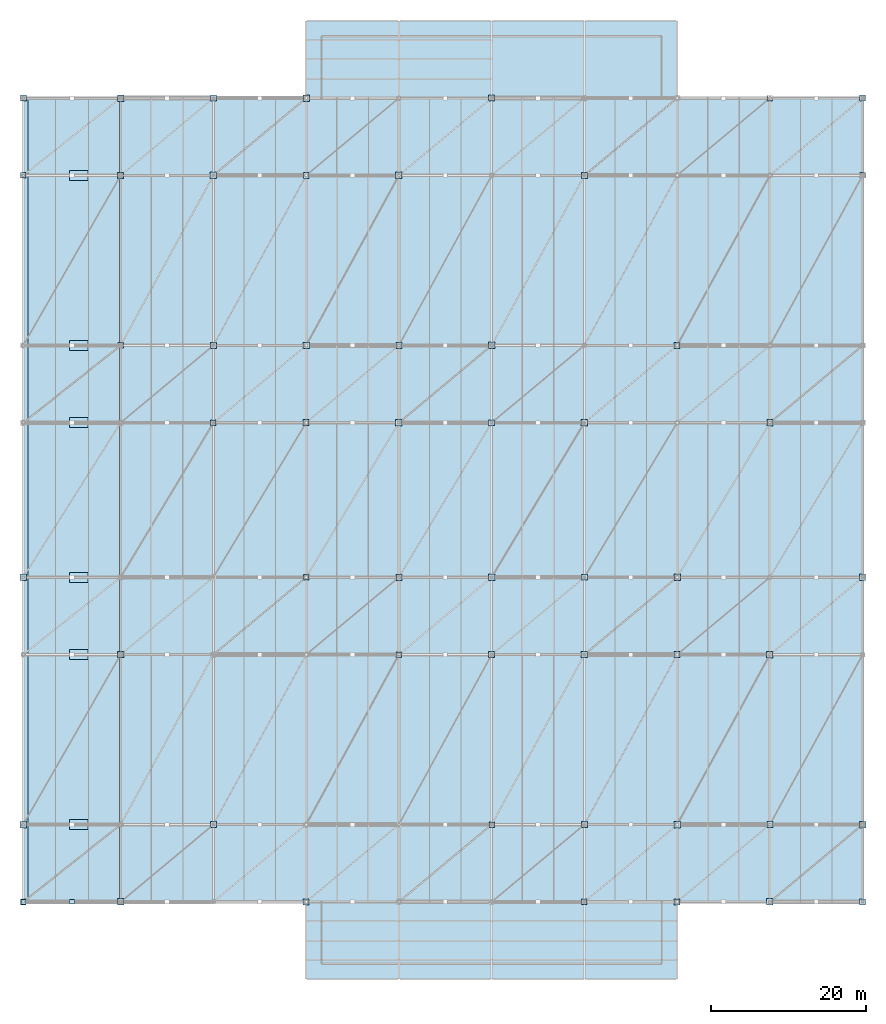
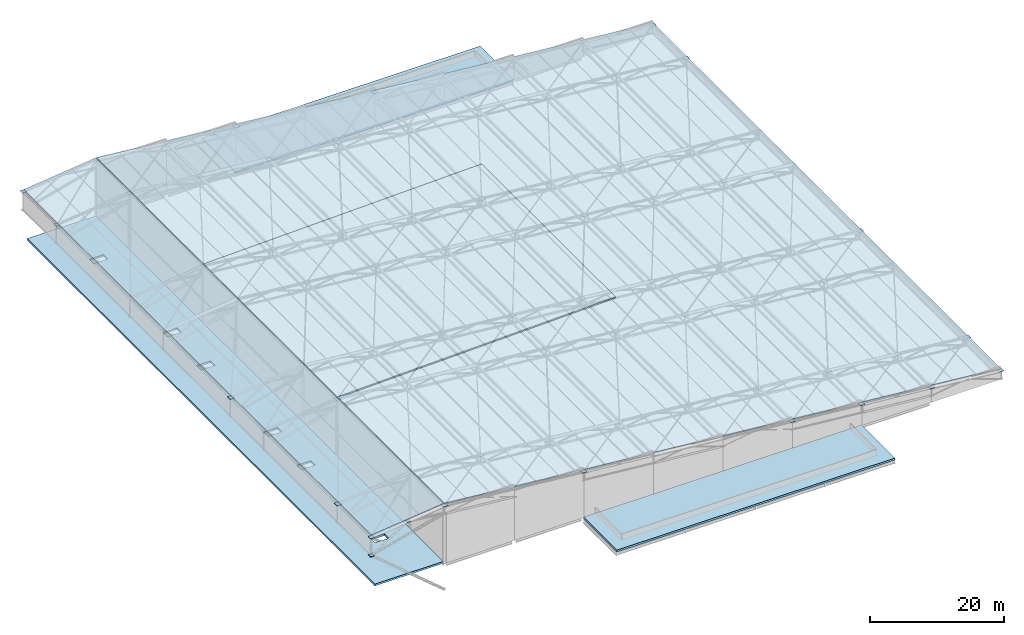
# One storey, part 40 of 44: 55 plates, 6 slabs.
"""IFC4 building model written with IfcOpenShell, lengths in metres."""

from ifc_helpers import new_model, si_unit, direction, frame, origin, origin_2d, place, context, subcontext, project, spatial, polyline, rectangle, outline, extrude, material, layer, layer_set, type_object, element, save


model = new_model("IFC4")

# Units and contexts
model_context = context("Model", 3, precision=1e-05, world=origin(), true_north=direction((0.0, 1.0)))
body_context = subcontext(model_context, "Body", "Model", "MODEL_VIEW")
ifc_project = project(units=[si_unit("LENGTHUNIT", "METRE"), si_unit("AREAUNIT", "SQUARE_METRE"), si_unit("VOLUMEUNIT", "CUBIC_METRE"), si_unit("PLANEANGLEUNIT", "RADIAN"), si_unit("MASSUNIT", "GRAM", prefix="KILO")], contexts=[model_context])

# Site, building, storey
site_placement = place(None, origin())
site = spatial("IfcSite", under=ifc_project, at=site_placement, CompositionType="ELEMENT")
building_placement = place(site_placement, origin())
building = spatial("IfcBuilding", under=site, at=building_placement, Name="Brinegate Civic Arena", CompositionType="ELEMENT")
storey_placement = place(building_placement, frame((0.0, 0.0, 29.39990234375)))
storey = spatial("IfcBuildingStorey", under=building, at=storey_placement, Name="RF", CompositionType="ELEMENT", Elevation=29.39990234375)

# Plates
ifc_material_1 = material(Name="Steel S355", Category="steel")
ifc_layer_1 = layer(ifc_material_1, 0.02587890625, Name="Steel S355")
ifc_layer_set_1 = layer_set([ifc_layer_1], Name="Steel S355")
plate_type_1 = type_object("IfcPlateType", Name="PLATE-NODE-600X26", PredefinedType="SHEET", material=ifc_layer_set_1)
plate_1_placement = place(storey_placement, frame((53.699951171875, 10.0, 9.837158203125), z_axis=(0.0, 0.0, 1.0), x_axis=(1.0, 0.0, 0.0)))
element("IfcPlate", 1, at=plate_1_placement, inside=storey, type_object=plate_type_1, Name="Welded Steel Node Cap Plate NPL-M-001", PredefinedType="SHEET", context=body_context, shape_type="SweptSolid", body=[
    extrude(rectangle(XDim=0.60009765625, YDim=0.60009765625, at=origin_2d()), origin(), (0.0, 0.0, 1.0), 0.02587890625),
])
ifc_layer_2 = layer(ifc_material_1, 0.02392578125, Name="Steel S355")
ifc_layer_set_2 = layer_set([ifc_layer_2], Name="Steel S355")
plate_type_2 = type_object("IfcPlateType", Name="PLATE-NODE-650X24", PredefinedType="SHEET", material=ifc_layer_set_2)
plate_2_placement = place(storey_placement, frame((47.39990234375, 10.0, 5.7880859375), z_axis=(0.0, 0.0, 1.0), x_axis=(1.0, 0.0, 0.0)))
element("IfcPlate", 2, at=plate_2_placement, inside=storey, type_object=plate_type_2, Name="Welded Steel Node Cap Plate NPL-B-011", PredefinedType="SHEET", context=body_context, shape_type="SweptSolid", body=[
    extrude(rectangle(XDim=0.64990234375, YDim=0.64990234375, at=origin_2d()), origin(), (0.0, 0.0, 1.0), 0.02392578125),
])
ifc_layer_3 = layer(ifc_material_1, 0.028076171875, Name="Steel S355")
ifc_layer_set_3 = layer_set([ifc_layer_3], Name="Steel S355")
plate_type_3 = type_object("IfcPlateType", Name="PLATE-NODE-720X28", PredefinedType="SHEET", material=ifc_layer_set_3)
for number, where, z_axis, x_axis, name in (
    (3, (120.0, 10.0, 4.9111328125), (0.0, 0.0, 1.0), (1.0, 0.0, 0.0), "Welded Steel Node Cap Plate NPL-T-022"),
    (4, (108.0, 20.0, 6.0361328125), (0.0, 0.0, 1.0), (1.0, 0.0, 0.0), "Welded Steel Node Cap Plate NPL-T-049"),
    (5, (96.0, 42.0, 7.1611328125), (0.0, 0.0, 1.0), (1.0, 0.0, 0.0), "Welded Steel Node Cap Plate NPL-T-076"),
    (6, (84.0, 52.0, 8.2861328125), (0.0, 0.0, 1.0), (1.0, 0.0, 0.0), "Welded Steel Node Cap Plate NPL-T-103"),
    (7, (72.0, 72.0, 9.4111328125), (0.0, 0.0, 1.0), (1.0, 0.0, 0.0), "Welded Steel Node Cap Plate NPL-T-130"),
    (8, (60.0, 82.0, 10.5361328125), (0.0, 0.0, 1.0), (1.0, 0.0, 0.0), "Welded Steel Node Cap Plate NPL-T-157"),
    (9, (47.39990234375, 104.0, 9.13623046875), (0.0, 0.0, 1.0), (1.0, 0.0, 0.0), "Welded Steel Node Cap Plate NPL-T-184"),
    (10, (156.0, 104.0, 1.5361328125), (0.0, 0.0, 1.0), (1.0, 0.0, 0.0), "Welded Steel Node Cap Plate NPL-T-202"),
    (11, (144.0, 114.0, 2.6611328125), (0.0, 0.0, 1.0), (1.0, 0.0, 0.0), "Welded Steel Node Cap Plate NPL-T-229"),
):
    element("IfcPlate", number, at=place(storey_placement, frame(where, z_axis=z_axis, x_axis=x_axis)), inside=storey, type_object=plate_type_3, Name=name, PredefinedType="SHEET", context=body_context, shape_type="SweptSolid", body=[
        extrude(rectangle(XDim=0.719970703125, YDim=0.719970703125, at=origin_2d()), origin(), (0.0, 0.0, 1.0), 0.028076171875),
    ])
ifc_layer_4 = layer(ifc_material_1, 0.028076171875, Name="Steel S355")
ifc_layer_set_4 = layer_set([ifc_layer_4], Name="Steel S355")
plate_type_4 = type_object("IfcPlateType", Name="PLATE-NODE-750X28", PredefinedType="SHEET", material=ifc_layer_set_4)
for number, where, z_axis, x_axis, name in (
    (12, (47.39990234375, 10.0, 9.13623046875), (0.0, 0.0, 1.0), (1.0, 0.0, 0.0), "Welded Steel Node Cap Plate NPL-T-010"),
    (13, (156.0, 10.0, 1.5361328125), (0.0, 0.0, 1.0), (1.0, 0.0, 0.0), "Welded Steel Node Cap Plate NPL-T-028"),
    (14, (144.0, 20.0, 2.6611328125), (0.0, 0.0, 1.0), (1.0, 0.0, 0.0), "Welded Steel Node Cap Plate NPL-T-055"),
    (15, (132.0, 42.0, 3.7861328125), (0.0, 0.0, 1.0), (1.0, 0.0, 0.0), "Welded Steel Node Cap Plate NPL-T-082"),
    (16, (120.0, 52.0, 4.9111328125), (0.0, 0.0, 1.0), (1.0, 0.0, 0.0), "Welded Steel Node Cap Plate NPL-T-109"),
    (17, (108.0, 72.0, 6.0361328125), (0.0, 0.0, 1.0), (1.0, 0.0, 0.0), "Welded Steel Node Cap Plate NPL-T-136"),
    (18, (96.0, 82.0, 7.1611328125), (0.0, 0.0, 1.0), (1.0, 0.0, 0.0), "Welded Steel Node Cap Plate NPL-T-163"),
    (19, (84.0, 104.0, 8.2861328125), (0.0, 0.0, 1.0), (1.0, 0.0, 0.0), "Welded Steel Node Cap Plate NPL-T-190"),
    (20, (72.0, 114.0, 9.4111328125), (0.0, 0.0, 1.0), (1.0, 0.0, 0.0), "Welded Steel Node Cap Plate NPL-T-217"),
):
    element("IfcPlate", number, at=place(storey_placement, frame(where, z_axis=z_axis, x_axis=x_axis)), inside=storey, type_object=plate_type_4, Name=name, PredefinedType="SHEET", context=body_context, shape_type="SweptSolid", body=[
        extrude(rectangle(XDim=0.75, YDim=0.75, at=origin_2d()), origin(), (0.0, 0.0, 1.0), 0.028076171875),
    ])
ifc_layer_5 = layer(ifc_material_1, 0.030029296875, Name="Steel S355")
ifc_layer_set_5 = layer_set([ifc_layer_5], Name="Steel S355")
plate_type_5 = type_object("IfcPlateType", Name="PLATE-NODE-780X30", PredefinedType="SHEET", material=ifc_layer_set_5)
for number, where, z_axis, x_axis, name in (
    (21, (132.0, 10.0, 3.78515625), (0.0, 0.0, 1.0), (1.0, 0.0, 0.0), "Welded Steel Node Cap Plate NPL-T-024"),
    (22, (120.0, 20.0, 4.91015625), (0.0, 0.0, 1.0), (1.0, 0.0, 0.0), "Welded Steel Node Cap Plate NPL-T-051"),
    (23, (108.0, 42.0, 6.03515625), (0.0, 0.0, 1.0), (1.0, 0.0, 0.0), "Welded Steel Node Cap Plate NPL-T-078"),
    (24, (96.0, 52.0, 7.16015625), (0.0, 0.0, 1.0), (1.0, 0.0, 0.0), "Welded Steel Node Cap Plate NPL-T-105"),
    (25, (84.0, 72.0, 8.28515625), (0.0, 0.0, 1.0), (1.0, 0.0, 0.0), "Welded Steel Node Cap Plate NPL-T-132"),
    (26, (72.0, 82.0, 9.41015625), (0.0, 0.0, 1.0), (1.0, 0.0, 0.0), "Welded Steel Node Cap Plate NPL-T-159"),
    (27, (60.0, 104.0, 10.53515625), (0.0, 0.0, 1.0), (1.0, 0.0, 0.0), "Welded Steel Node Cap Plate NPL-T-186"),
    (28, (47.39990234375, 114.0, 9.13525390625), (0.0, 0.0, 1.0), (1.0, 0.0, 0.0), "Welded Steel Node Cap Plate NPL-T-213"),
    (29, (156.0, 114.0, 1.53515625), (0.0, 0.0, 1.0), (1.0, 0.0, 0.0), "Welded Steel Node Cap Plate NPL-T-231"),
):
    element("IfcPlate", number, at=place(storey_placement, frame(where, z_axis=z_axis, x_axis=x_axis)), inside=storey, type_object=plate_type_5, Name=name, PredefinedType="SHEET", context=body_context, shape_type="SweptSolid", body=[
        extrude(rectangle(XDim=0.780029296875, YDim=0.780029296875, at=origin_2d()), origin(), (0.0, 0.0, 1.0), 0.030029296875),
    ])
ifc_layer_6 = layer(ifc_material_1, 0.030029296875, Name="Steel S355")
ifc_layer_set_6 = layer_set([ifc_layer_6], Name="Steel S355")
plate_type_6 = type_object("IfcPlateType", Name="PLATE-NODE-800X30", PredefinedType="SHEET", material=ifc_layer_set_6)
for number, where, z_axis, x_axis, name in (
    (30, (84.0, 10.0, 8.28515625), (0.0, 0.0, 1.0), (1.0, 0.0, 0.0), "Welded Steel Node Cap Plate NPL-T-016"),
    (31, (72.0, 20.0, 9.41015625), (0.0, 0.0, 1.0), (1.0, 0.0, 0.0), "Welded Steel Node Cap Plate NPL-T-043"),
    (32, (60.0, 42.0, 10.53515625), (0.0, 0.0, 1.0), (1.0, 0.0, 0.0), "Welded Steel Node Cap Plate NPL-T-070"),
    (33, (47.39990234375, 52.0, 9.13525390625), (0.0, 0.0, 1.0), (1.0, 0.0, 0.0), "Welded Steel Node Cap Plate NPL-T-097"),
    (34, (156.0, 52.0, 1.53515625), (0.0, 0.0, 1.0), (1.0, 0.0, 0.0), "Welded Steel Node Cap Plate NPL-T-115"),
    (35, (144.0, 72.0, 2.66015625), (0.0, 0.0, 1.0), (1.0, 0.0, 0.0), "Welded Steel Node Cap Plate NPL-T-142"),
    (36, (132.0, 82.0, 3.78515625), (0.0, 0.0, 1.0), (1.0, 0.0, 0.0), "Welded Steel Node Cap Plate NPL-T-169"),
    (37, (120.0, 104.0, 4.91015625), (0.0, 0.0, 1.0), (1.0, 0.0, 0.0), "Welded Steel Node Cap Plate NPL-T-196"),
    (38, (108.0, 114.0, 6.03515625), (0.0, 0.0, 1.0), (1.0, 0.0, 0.0), "Welded Steel Node Cap Plate NPL-T-223"),
):
    element("IfcPlate", number, at=place(storey_placement, frame(where, z_axis=z_axis, x_axis=x_axis)), inside=storey, type_object=plate_type_6, Name=name, PredefinedType="SHEET", context=body_context, shape_type="SweptSolid", body=[
        extrude(rectangle(XDim=0.800048828125, YDim=0.800048828125, at=origin_2d()), origin(), (0.0, 0.0, 1.0), 0.030029296875),
    ])
ifc_layer_7 = layer(ifc_material_1, 0.031982421875, Name="Steel S355")
ifc_layer_set_7 = layer_set([ifc_layer_7], Name="Steel S355")
plate_type_7 = type_object("IfcPlateType", Name="PLATE-NODE-820X32", PredefinedType="SHEET", material=ifc_layer_set_7)
for number, where, z_axis, x_axis, name in (
    (39, (144.0, 10.0, 2.6591796875), (0.0, 0.0, 1.0), (1.0, 0.0, 0.0), "Welded Steel Node Cap Plate NPL-T-026"),
    (40, (132.0, 20.0, 3.7841796875), (0.0, 0.0, 1.0), (1.0, 0.0, 0.0), "Welded Steel Node Cap Plate NPL-T-053"),
    (41, (120.0, 42.0, 4.9091796875), (0.0, 0.0, 1.0), (1.0, 0.0, 0.0), "Welded Steel Node Cap Plate NPL-T-080"),
    (42, (108.0, 52.0, 6.0341796875), (0.0, 0.0, 1.0), (1.0, 0.0, 0.0), "Welded Steel Node Cap Plate NPL-T-107"),
    (43, (96.0, 72.0, 7.1591796875), (0.0, 0.0, 1.0), (1.0, 0.0, 0.0), "Welded Steel Node Cap Plate NPL-T-134"),
    (44, (84.0, 82.0, 8.2841796875), (0.0, 0.0, 1.0), (1.0, 0.0, 0.0), "Welded Steel Node Cap Plate NPL-T-161"),
    (45, (72.0, 104.0, 9.4091796875), (0.0, 0.0, 1.0), (1.0, 0.0, 0.0), "Welded Steel Node Cap Plate NPL-T-188"),
    (46, (60.0, 114.0, 10.5341796875), (0.0, 0.0, 1.0), (1.0, 0.0, 0.0), "Welded Steel Node Cap Plate NPL-T-215"),
):
    element("IfcPlate", number, at=place(storey_placement, frame(where, z_axis=z_axis, x_axis=x_axis)), inside=storey, type_object=plate_type_7, Name=name, PredefinedType="SHEET", context=body_context, shape_type="SweptSolid", body=[
        extrude(rectangle(XDim=0.820068359375, YDim=0.820068359375, at=origin_2d()), origin(), (0.0, 0.0, 1.0), 0.031982421875),
    ])
ifc_layer_8 = layer(ifc_material_1, 0.031982421875, Name="Steel S355")
ifc_layer_set_8 = layer_set([ifc_layer_8], Name="Steel S355")
plate_type_8 = type_object("IfcPlateType", Name="PLATE-NODE-850X32", PredefinedType="SHEET", material=ifc_layer_set_8)
for number, where, z_axis, x_axis, name in (
    (47, (60.0, 10.0, 10.5341796875), (0.0, 0.0, 1.0), (1.0, 0.0, 0.0), "Welded Steel Node Cap Plate NPL-T-012"),
    (48, (47.39990234375, 20.0, 9.13427734375), (0.0, 0.0, 1.0), (1.0, 0.0, 0.0), "Welded Steel Node Cap Plate NPL-T-039"),
    (49, (156.0, 20.0, 1.5341796875), (0.0, 0.0, 1.0), (1.0, 0.0, 0.0), "Welded Steel Node Cap Plate NPL-T-057"),
    (50, (144.0, 42.0, 2.6591796875), (0.0, 0.0, 1.0), (1.0, 0.0, 0.0), "Welded Steel Node Cap Plate NPL-T-084"),
    (51, (132.0, 52.0, 3.7841796875), (0.0, 0.0, 1.0), (1.0, 0.0, 0.0), "Welded Steel Node Cap Plate NPL-T-111"),
    (52, (120.0, 72.0, 4.9091796875), (0.0, 0.0, 1.0), (1.0, 0.0, 0.0), "Welded Steel Node Cap Plate NPL-T-138"),
    (53, (108.0, 82.0, 6.0341796875), (0.0, 0.0, 1.0), (1.0, 0.0, 0.0), "Welded Steel Node Cap Plate NPL-T-165"),
    (54, (96.0, 104.0, 7.1591796875), (0.0, 0.0, 1.0), (1.0, 0.0, 0.0), "Welded Steel Node Cap Plate NPL-T-192"),
    (55, (84.0, 114.0, 8.2841796875), (0.0, 0.0, 1.0), (1.0, 0.0, 0.0), "Welded Steel Node Cap Plate NPL-T-219"),
):
    element("IfcPlate", number, at=place(storey_placement, frame(where, z_axis=z_axis, x_axis=x_axis)), inside=storey, type_object=plate_type_8, Name=name, PredefinedType="SHEET", context=body_context, shape_type="SweptSolid", body=[
        extrude(rectangle(XDim=0.85009765625, YDim=0.85009765625, at=origin_2d()), origin(), (0.0, 0.0, 1.0), 0.031982421875),
    ])

# Slabs
ifc_material_2 = material(Name="Concrete C40/50", Category="concrete")
ifc_layer_9 = layer(ifc_material_2, 0.219970703125, Name="Concrete C40/50")
ifc_layer_set_9 = layer_set([ifc_layer_9], Name="Concrete C40/50")
slab_type_1 = type_object("IfcSlabType", Name="SLAB-ROOF-MAIN-220", PredefinedType="ROOF", material=ifc_layer_set_9)
slab_1_placement = place(storey_placement, frame((60.0, 10.0, 10.900146484375), z_axis=(0.093340708693, 0.0, 0.995634226059), x_axis=(0.995634226059, 0.0, -0.093340708693)))
element("IfcSlab", 56, at=slab_1_placement, inside=storey, type_object=slab_type_1, Name="Sloped Roof Slab SLAB-ROOF-MAIN-E", PredefinedType="ROOF", context=body_context, shape_type="SweptSolid", body=[
    extrude(outline(polyline([(0.0, 0.0), (96.4209520799292, 0.0), (96.4209520799292, 104.0), (0.0, 104.0), (0.0, 0.0)])), origin(), (0.0, 0.0, -1.0), 0.219970703125),
])
slab_2_placement = place(storey_placement, frame((47.39990234375, 10.0, 9.5), z_axis=(-0.110407996042, 0.0, 0.99388634884), x_axis=(0.99388634884, 0.0, 0.110407996042)))
element("IfcSlab", 57, at=slab_2_placement, inside=storey, type_object=slab_type_1, Name="Sloped Roof Slab SLAB-ROOF-MAIN-W", PredefinedType="ROOF", context=body_context, shape_type="SweptSolid", body=[
    extrude(outline(polyline([(0.0, 0.0), (12.526779673586262, 0.0), (12.526779673586262, 104.0), (0.0, 104.0), (0.0, 0.0)])), origin(), (0.0, 0.0, -1.0), 0.219970703125),
])
slab_3_placement = place(storey_placement, frame((60.0, 42.0, 10.900146484375), z_axis=(-0.03019354369, 0.0, 0.999544071024), x_axis=(0.999544071024, 0.0, 0.03019354369)))
element("IfcSlab", 58, at=slab_3_placement, inside=storey, type_object=slab_type_1, Name="Sloped Roof Slab SLAB-ROOF-MAIN-FOLD", PredefinedType="ROOF", context=body_context, shape_type="SweptSolid", body=[
    extrude(outline(polyline([(0.0, 0.0), (48.021894573213395, 0.0), (48.021894573213395, 40.0), (0.0, 40.0), (0.0, 0.0)])), origin(), (0.0, 0.0, -1.0), 0.219970703125),
])
ifc_layer_10 = layer(ifc_material_2, 0.340087890625, Name="Concrete C40/50")
ifc_layer_set_10 = layer_set([ifc_layer_10], Name="Concrete C40/50")
slab_type_2 = type_object("IfcSlabType", Name="SLAB-ROOF-PORTAL-340", PredefinedType="ROOF", material=ifc_layer_set_10)
slab_4_placement = place(storey_placement, origin())
element("IfcSlab", 59, at=slab_4_placement, inside=storey, type_object=slab_type_2, Name="West L05 Broadcast Crescent and Core Roof Slab", PredefinedType="ROOF", context=body_context, shape_type="SweptSolid", body=[
    extrude(outline(polyline([(48.0, 10.0), (59.820068359375, 10.0), (59.820068359375, 114.0), (48.0, 114.0), (48.0, 10.0)]), holes=[polyline([(53.39990234375, 19.35009765625), (55.800048828125, 19.35009765625), (55.800048828125, 20.64990234375), (53.39990234375, 20.64990234375), (53.39990234375, 19.35009765625)]), polyline([(53.39990234375, 41.35009765625), (55.800048828125, 41.35009765625), (55.800048828125, 42.64990234375), (53.39990234375, 42.64990234375), (53.39990234375, 41.35009765625)]), polyline([(53.39990234375, 51.35009765625), (55.800048828125, 51.35009765625), (55.800048828125, 52.64990234375), (53.39990234375, 52.64990234375), (53.39990234375, 51.35009765625)]), polyline([(53.39990234375, 71.35009765625), (55.800048828125, 71.35009765625), (55.800048828125, 72.64990234375), (53.39990234375, 72.64990234375), (53.39990234375, 71.35009765625)]), polyline([(53.39990234375, 81.35009765625), (55.800048828125, 81.35009765625), (55.800048828125, 82.64990234375), (53.39990234375, 82.64990234375), (53.39990234375, 81.35009765625)]), polyline([(53.39990234375, 103.35009765625), (55.800048828125, 103.35009765625), (55.800048828125, 104.64990234375), (53.39990234375, 104.64990234375), (53.39990234375, 103.35009765625)])]), origin(), (0.0, 0.0, 1.0), 0.340087890625),
])
slab_5_placement = place(storey_placement, frame((0.0, 0.0, -0.33984375)))
element("IfcSlab", 60, at=slab_5_placement, inside=storey, type_object=slab_type_2, Name="Portal Roof Deck SLAB-ROOF-PORTAL-N", PredefinedType="ROOF", context=body_context, shape_type="SweptSolid", body=[
    extrude(outline(polyline([(84.0, 114.0), (132.0, 114.0), (132.0, 124.0), (84.0, 124.0), (84.0, 114.0)])), origin(), (0.0, 0.0, 1.0), 0.33984375),
])
slab_6_placement = place(storey_placement, frame((0.0, 0.0, -0.33984375)))
element("IfcSlab", 61, at=slab_6_placement, inside=storey, type_object=slab_type_2, Name="Portal Roof Deck SLAB-ROOF-PORTAL-S", PredefinedType="ROOF", context=body_context, shape_type="SweptSolid", body=[
    extrude(outline(polyline([(84.0, 0.0), (132.0, 0.0), (132.0, 10.0), (84.0, 10.0), (84.0, 0.0)])), origin(), (0.0, 0.0, 1.0), 0.33984375),
])

save(model, "model.ifc")
